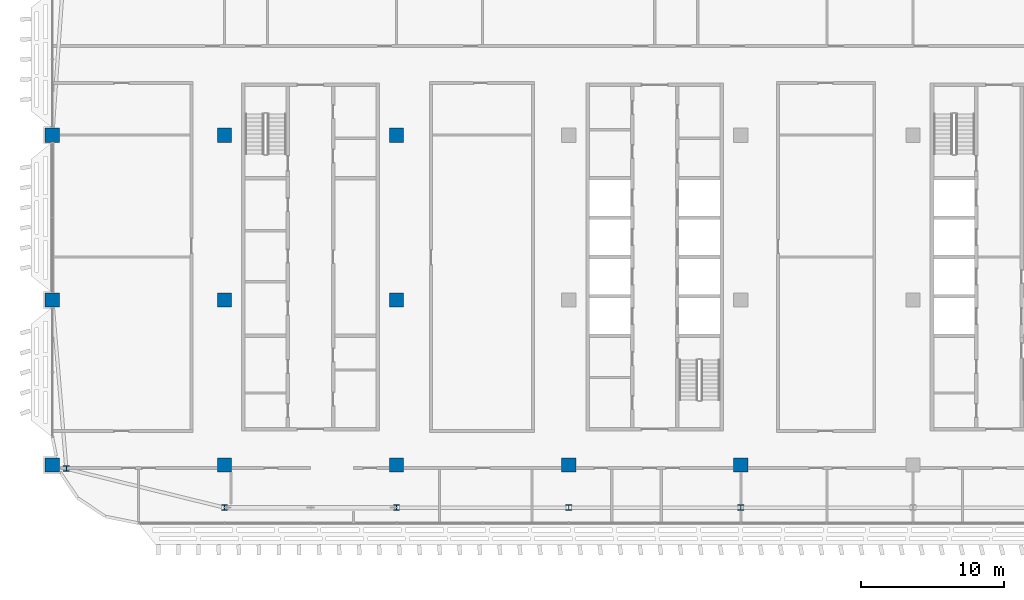
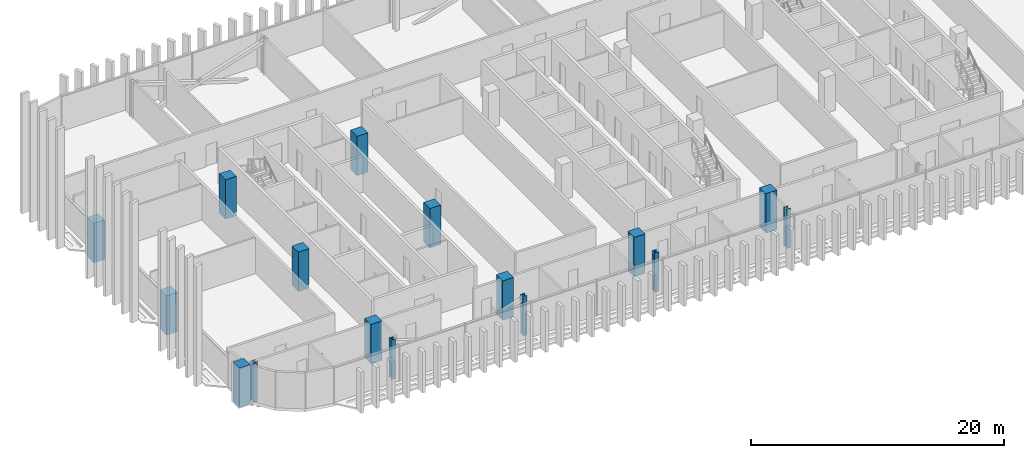
# One storey, part 1 of 32: 16 columns.
"""IFC4 building model written with IfcOpenShell, lengths in metres."""

from ifc_helpers import new_model, si_unit, direction, frame, origin, origin_2d, place, context, subcontext, project, spatial, rectangle, i_section, extrude, material, material_profile, profile_set, type_object, element, save


model = new_model("IFC4")

# Units and contexts
model_context = context("Model", 3, precision=1e-05, world=origin(), true_north=direction((0.0, 1.0)))
body_context = subcontext(model_context, "Body", "Model", "MODEL_VIEW")
ifc_project = project(units=[si_unit("LENGTHUNIT", "METRE"), si_unit("AREAUNIT", "SQUARE_METRE"), si_unit("VOLUMEUNIT", "CUBIC_METRE"), si_unit("PLANEANGLEUNIT", "RADIAN"), si_unit("MASSUNIT", "GRAM", prefix="KILO")], contexts=[model_context])

# Site, building, storey
site_placement = place(None, origin())
site = spatial("IfcSite", under=ifc_project, at=site_placement, CompositionType="ELEMENT")
building_placement = place(site_placement, origin())
building = spatial("IfcBuilding", under=site, at=building_placement, Name="Mahtab Terrace Research Tower", CompositionType="ELEMENT")
storey_placement = place(building_placement, frame((0.0, 0.0, 243.800048828125)))
storey = spatial("IfcBuildingStorey", under=building, at=storey_placement, Name="L59", CompositionType="ELEMENT", Elevation=243.800048828125)

# Columns
ifc_material_1 = material(Name="Concrete C70/85", Category="concrete")
ifc_material_profile_1 = material_profile(ifc_material_1, rectangle(XDim=1.0, YDim=1.0, at=origin_2d()), Name="RC column 1000x1000")
ifc_profile_set_1 = profile_set([ifc_material_profile_1], Name="Concrete C70/85")
column_type_1 = type_object("IfcColumnType", Name="RC column 1000x1000", PredefinedType="COLUMN", material=ifc_profile_set_1)
for number, where, z_axis, x_axis, name in (
    (1, (-42.0, -11.5, -0.340087890625), (0.0, 0.0, 1.0), (1.0, 0.0, 0.0), "Column RC-1A L59"),
    (2, (-42.0, 0.0, -0.340087890625), (0.0, 0.0, 1.0), (1.0, 0.0, 0.0), "Column RC-1B L59"),
    (3, (-42.0, 11.5, -0.340087890625), (0.0, 0.0, 1.0), (1.0, 0.0, 0.0), "Column RC-1C L59"),
    (4, (-30.0, -11.5, -0.340087890625), (0.0, 0.0, 1.0), (1.0, 0.0, 0.0), "Column RC-2A L59"),
    (5, (-30.0, 0.0, -0.340087890625), (0.0, 0.0, 1.0), (1.0, 0.0, 0.0), "Column RC-2B L59"),
    (6, (-30.0, 11.5, -0.340087890625), (0.0, 0.0, 1.0), (1.0, 0.0, 0.0), "Column RC-2C L59"),
    (7, (-18.0, -11.5, -0.340087890625), (0.0, 0.0, 1.0), (1.0, 0.0, 0.0), "Column RC-3A L59"),
    (8, (-18.0, 0.0, -0.340087890625), (0.0, 0.0, 1.0), (1.0, 0.0, 0.0), "Column RC-3B L59"),
    (9, (-18.0, 11.5, -0.340087890625), (0.0, 0.0, 1.0), (1.0, 0.0, 0.0), "Column RC-3C L59"),
    (10, (-6.0, -11.5, -0.340087890625), (0.0, 0.0, 1.0), (1.0, 0.0, 0.0), "Column RC-4A L59"),
    (11, (6.0, -11.5, -0.340087890625), (0.0, 0.0, 1.0), (1.0, 0.0, 0.0), "Column RC-5A L59"),
):
    element("IfcColumn", number, at=place(storey_placement, frame(where, z_axis=z_axis, x_axis=x_axis)), inside=storey, type_object=column_type_1, Name=name, PredefinedType="COLUMN", context=body_context, shape_type="SweptSolid", body=[
        extrude(rectangle(XDim=1.0, YDim=1.0, at=origin_2d()), origin(), (0.0, 0.0, 1.0), 3.800048828125),
    ])
ifc_material_2 = material(Name="Steel ASTM A992 Gr 50", Category="steel")
ifc_material_profile_2 = material_profile(ifc_material_2, i_section(OverallWidth=0.398681640625, OverallDepth=0.385986328125, WebThickness=0.02099609375, FlangeThickness=0.033203125, at=origin_2d()), Name="W14X176")
ifc_profile_set_2 = profile_set([ifc_material_profile_2], Name="Steel ASTM A992 Gr 50")
column_type_2 = type_object("IfcColumnType", Name="W14x176 column CS14176", PredefinedType="COLUMN", material=ifc_profile_set_2)
for number, where, z_axis, x_axis, name in (
    (12, (-41.02099609375, -11.758056640625, -0.340087890625), (0.0, 0.0, 1.0), (1.0, 0.0, 0.0), "Column SC-061 L59"),
    (13, (-30.0, -14.472900390625, -0.340087890625), (0.0, 0.0, 1.0), (1.0, 0.0, 0.0), "Column SC-062 L59"),
    (14, (-18.0, -14.472900390625, -0.340087890625), (0.0, 0.0, 1.0), (1.0, 0.0, 0.0), "Column SC-063 L59"),
    (15, (-6.0, -14.472900390625, -0.340087890625), (0.0, 0.0, 1.0), (1.0, 0.0, 0.0), "Column SC-064 L59"),
    (16, (6.0, -14.472900390625, -0.340087890625), (0.0, 0.0, 1.0), (1.0, 0.0, 0.0), "Column SC-065 L59"),
):
    element("IfcColumn", number, at=place(storey_placement, frame(where, z_axis=z_axis, x_axis=x_axis)), inside=storey, type_object=column_type_2, Name=name, PredefinedType="COLUMN", context=body_context, shape_type="SweptSolid", body=[
        extrude(i_section(OverallWidth=0.398681640625, OverallDepth=0.385986328125, WebThickness=0.02099609375, FlangeThickness=0.033203125, at=origin_2d()), origin(), (0.0, 0.0, 1.0), 3.800048828125),
    ])

save(model, "model.ifc")
